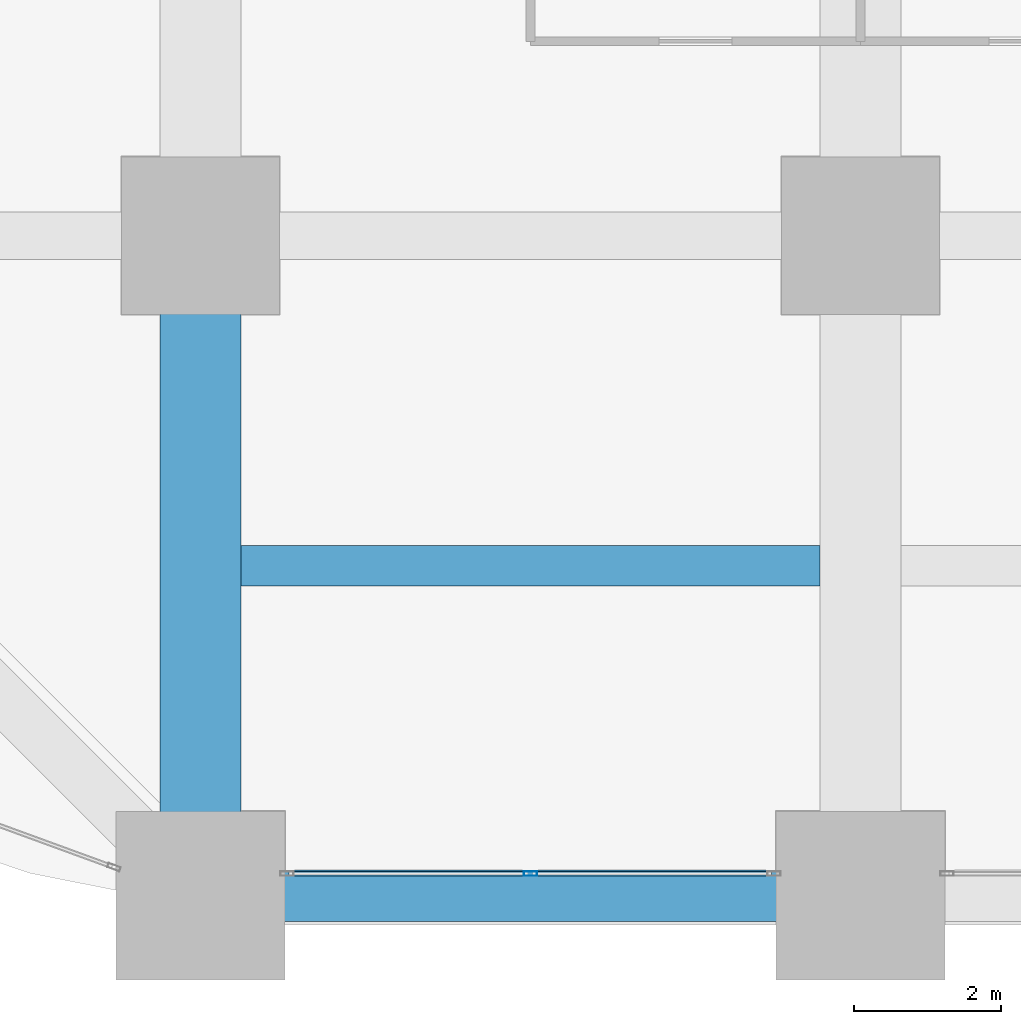
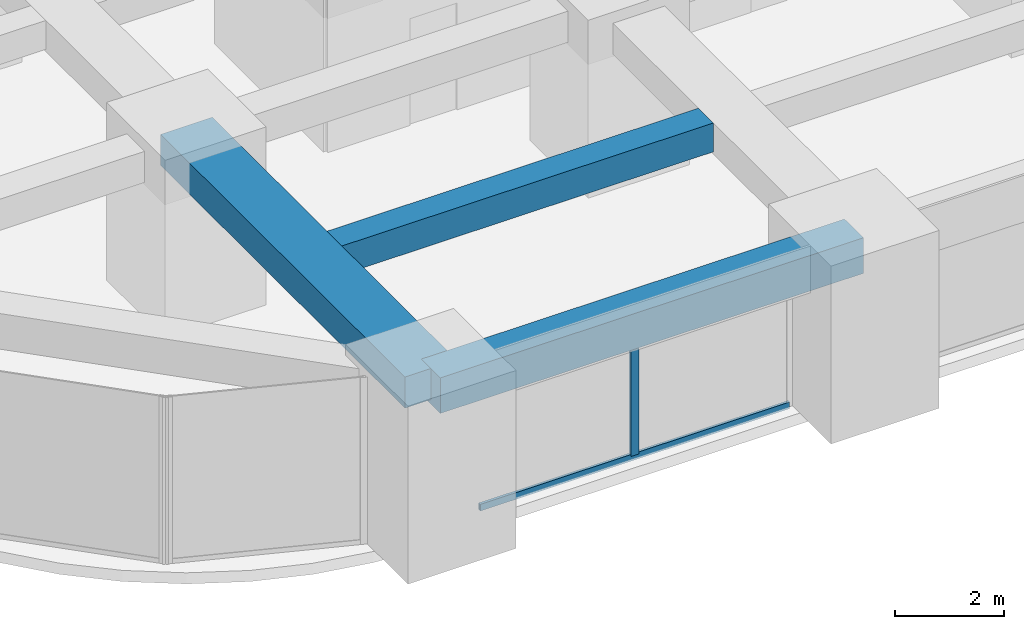
# One storey, part 3 of 44: 3 beams, 2 members, 1 element without a shape of its own.
"""IFC4 building model written with IfcOpenShell, lengths in metres."""

import ifcopenshell
import ifcopenshell.guid

model = None  # the IFC model being written
_history = None  # IfcOwnerHistory: only IFC2X3 demands one
_inside = {}  # id of a spatial element -> (the spatial element, [elements in it])
_under = {}  # id of a project, library or spatial element -> (it, [spatial elements below it])
_declared = {}  # id of a project -> (the project, [libraries it declares])
_typed = {}  # id of a type object -> (the type object, [elements of that type])
_made_of = {}  # id of a material, layer set ... -> (it, [elements and type objects made of it])


def new_model(schema):
    """Start an empty IFC model of exactly this schema.

    Asked for "IFC4X3", IfcOpenShell would pick the latest addendum, in which some entities
    have other attributes; the version numbers below select the first issue.
    IFC2X3 requires an IfcOwnerHistory on every rooted entity: one is made here for all.
    """
    global model, _history
    if schema == "IFC4X3":
        model = ifcopenshell.file(schema_version=(4, 3, 0, 0))
    else:
        model = ifcopenshell.file(schema=schema)
    _inside.clear()
    _under.clear()
    _declared.clear()
    _typed.clear()
    _made_of.clear()
    _history = None
    if model.schema == "IFC2X3":
        org = make("IfcOrganization", Name="unknown")
        user = make(
            "IfcPersonAndOrganization",
            ThePerson=make("IfcPerson", FamilyName="unknown"),
            TheOrganization=org,
        )
        app = make(
            "IfcApplication",
            ApplicationDeveloper=org,
            Version="unknown",
            ApplicationFullName="unknown",
            ApplicationIdentifier="unknown",
        )
        _history = make(
            "IfcOwnerHistory",
            OwningUser=user,
            OwningApplication=app,
            ChangeAction="ADDED",
            CreationDate=0,
        )
    return model


def make(cls, **values):
    """One entity of the class cls with the attributes given. An attribute that is None is left unset."""
    return model.create_entity(
        cls, **{name: value for name, value in values.items() if value is not None}
    )


def rooted(cls, **values):
    """An entity with a GlobalId (a new one), such as an element, a storey or a relation."""
    return make(cls, GlobalId=ifcopenshell.guid.new(), OwnerHistory=_history, **values)


def si_unit(unit_type, name, prefix=None):
    """IfcSIUnit, for example si_unit("LENGTHUNIT", "METRE", prefix="MILLI")."""
    return make("IfcSIUnit", UnitType=unit_type, Prefix=prefix, Name=name)


def assignment(units):
    """IfcUnitAssignment: the units of a project."""
    return None if units is None else make("IfcUnitAssignment", Units=units)


def point(xyz):
    """IfcCartesianPoint."""
    return None if xyz is None else make("IfcCartesianPoint", Coordinates=xyz)


def direction(xyz):
    """IfcDirection."""
    return None if xyz is None else make("IfcDirection", DirectionRatios=xyz)


def frame(location, z_axis=None, x_axis=None):
    """IfcAxis2Placement3D, a coordinate frame: its origin and axes. An axis left out is left unset."""
    return make(
        "IfcAxis2Placement3D",
        Location=point(location),
        Axis=direction(z_axis),
        RefDirection=direction(x_axis),
    )


def frame_2d(location, x_axis=None):
    """IfcAxis2Placement2D, a coordinate frame in the plane: its origin and x axis."""
    return make(
        "IfcAxis2Placement2D", Location=point(location), RefDirection=direction(x_axis)
    )


def origin():
    """The frame at (0, 0, 0) with its axes left unset."""
    return frame((0.0, 0.0, 0.0))


def origin_2d():
    """The frame at (0, 0) in the plane with its x axis left unset."""
    return frame_2d((0.0, 0.0))


def place(relative_to, where):
    """IfcLocalPlacement: puts the frame where relative to a parent placement (None: the world)."""
    return make(
        "IfcLocalPlacement", PlacementRelTo=relative_to, RelativePlacement=where
    )


def context(
    kind, dimensions, precision=None, world=None, true_north=None, identifier=None
):
    """IfcGeometricRepresentationContext, for example the 3D "Model" context."""
    return make(
        "IfcGeometricRepresentationContext",
        ContextIdentifier=identifier,
        ContextType=kind,
        CoordinateSpaceDimension=dimensions,
        Precision=precision,
        WorldCoordinateSystem=world,
        TrueNorth=true_north,
    )


def subcontext(parent, identifier, kind, view, scale=None):
    """IfcGeometricRepresentationSubContext, for example "Body" below "Model"."""
    return make(
        "IfcGeometricRepresentationSubContext",
        ContextIdentifier=identifier,
        ContextType=kind,
        ParentContext=parent,
        TargetScale=scale,
        TargetView=view,
    )


def project(units=None, contexts=None):
    """IfcProject with its units and contexts."""
    return rooted(
        "IfcProject",
        Name="project",
        RepresentationContexts=contexts,
        UnitsInContext=assignment(units),
    )


def spatial(cls, under=None, at=None, **own):
    """A site, building, storey or space (cls), placed at a placement, below another one or the project."""
    s = rooted(cls, ObjectPlacement=at, **own)
    if under is not None:
        _under.setdefault(under.id(), (under, []))[1].append(s)
    return s


def profile(cls, at=None, kind="AREA", **sizes):
    """A parametric profile (cls). Its sizes go by their IFC names, for example OverallWidth=200.0."""
    return make(cls, ProfileType=kind, Position=at, **sizes)


def rectangle(**sizes):
    """IfcRectangleProfileDef."""
    return profile("IfcRectangleProfileDef", **sizes)


def hollow_rectangle(**sizes):
    """IfcRectangleHollowProfileDef."""
    return profile("IfcRectangleHollowProfileDef", **sizes)


def extrude(swept, where, along, depth):
    """IfcExtrudedAreaSolid: the profile swept, set in the frame where, extruded along a direction by depth."""
    return make(
        "IfcExtrudedAreaSolid",
        SweptArea=swept,
        Position=where,
        ExtrudedDirection=direction(along),
        Depth=depth,
    )


def shape(context_of_items, identifier, shape_type, items):
    """IfcShapeRepresentation: the items that make up one representation, for example the "Body"."""
    return make(
        "IfcShapeRepresentation",
        ContextOfItems=context_of_items,
        RepresentationIdentifier=identifier,
        RepresentationType=shape_type,
        Items=items,
    )


def material(Name=None, Category=None):
    """IfcMaterial."""
    return make("IfcMaterial", Name=Name, Category=Category)


def material_profile(
    of_material, cross_section, Name=None, Category=None, Priority=None
):
    """IfcMaterialProfile: a cross section and its material."""
    return make(
        "IfcMaterialProfile",
        Name=Name,
        Material=of_material,
        Profile=cross_section,
        Priority=Priority,
        Category=Category,
    )


def profile_set(profiles, Name=None, composite=None):
    """IfcMaterialProfileSet."""
    return make(
        "IfcMaterialProfileSet",
        Name=Name,
        MaterialProfiles=profiles,
        CompositeProfile=composite,
    )


def made_of(thing, what):
    """Note that an element or type object is made of a material, layer set ...; save() writes the relation."""
    if what is not None:
        _made_of.setdefault(what.id(), (what, []))[1].append(thing)
    return thing


def type_object(cls, material=None, **own):
    """A type object (cls), such as IfcWallType, which elements share."""
    return made_of(rooted(cls, **own), material)


def element(
    cls,
    number,
    at=None,
    inside=None,
    cuts=None,
    type_object=None,
    material=None,
    context=None,
    identifier="Body",
    shape_type=None,
    held_by="IfcProductDefinitionShape",
    body=None,
    shapes=None,
    **own,
):
    """One element of the class cls, such as IfcWall. Its Tag is "e" and its number.

    at: its placement. inside: the storey or other place that contains it. cuts: it is an
    opening in that element (IfcRelVoidsElement). A single representation is given by context,
    identifier, shape_type and body (its items); several are given by shapes. held_by: the class
    of the entity that holds the representations. save() writes the other relations.
    """
    e = rooted(cls, Tag="e%d" % number, ObjectPlacement=at, **own)
    if body is not None:
        shapes = [shape(context, identifier, shape_type, body)]
    if shapes is not None:
        e.Representation = make(held_by, Representations=shapes)
    if inside is not None:
        _inside.setdefault(inside.id(), (inside, []))[1].append(e)
    if cuts is not None:
        rooted(
            "IfcRelVoidsElement", RelatingBuildingElement=cuts, RelatedOpeningElement=e
        )
    if type_object is not None:
        _typed.setdefault(type_object.id(), (type_object, []))[1].append(e)
    return made_of(e, material)


def aggregate(whole, parts):
    """IfcRelAggregates: a whole, such as a stair, and the parts it consists of."""
    return rooted("IfcRelAggregates", RelatingObject=whole, RelatedObjects=parts)


def save(model, path):
    """Write the relations noted so far, then the file.

    IfcRelAggregates (storeys below a building ...), IfcRelContainedInSpatialStructure (elements
    in a storey), IfcRelDefinesByType, IfcRelAssociatesMaterial and IfcRelDeclares: one each for
    every whole, place, type object, material and project.
    """
    for whole, parts in _under.values():
        aggregate(whole, parts)
    for where, things in _inside.values():
        rooted(
            "IfcRelContainedInSpatialStructure",
            RelatedElements=things,
            RelatingStructure=where,
        )
    for kind, things in _typed.values():
        rooted("IfcRelDefinesByType", RelatedObjects=things, RelatingType=kind)
    for what, things in _made_of.values():
        rooted("IfcRelAssociatesMaterial", RelatedObjects=things, RelatingMaterial=what)
    for by, libraries in _declared.values():
        rooted("IfcRelDeclares", RelatingContext=by, RelatedDefinitions=libraries)
    model.write(path)


model = new_model("IFC4")

# Units and contexts
model_context = context("Model", 3, precision=1e-05, world=origin(), true_north=direction((0.0, 1.0)))
body_context = subcontext(model_context, "Body", "Model", "MODEL_VIEW")
ifc_project = project(units=[si_unit("LENGTHUNIT", "METRE"), si_unit("AREAUNIT", "SQUARE_METRE"), si_unit("VOLUMEUNIT", "CUBIC_METRE"), si_unit("PLANEANGLEUNIT", "RADIAN"), si_unit("MASSUNIT", "GRAM", prefix="KILO")], contexts=[model_context])

# Site, building, storey
site_placement = place(None, origin())
site = spatial("IfcSite", under=ifc_project, at=site_placement, CompositionType="ELEMENT")
building_placement = place(site_placement, origin())
building = spatial("IfcBuilding", under=site, at=building_placement, Name="Zorevar Civic Tower", CompositionType="ELEMENT")
storey_placement = place(building_placement, frame((0.0, 0.0, 59.800048828125)))
storey = spatial("IfcBuildingStorey", under=building, at=storey_placement, Name="L14", CompositionType="ELEMENT", Elevation=59.800048828125)

# Beams
ifc_material_1 = material(Name="Concrete C50/60", Category="concrete")
ifc_material_profile_1 = material_profile(ifc_material_1, rectangle(XDim=1.10009765625, YDim=0.699951171875, at=origin_2d()), Name="RC 1100x700")
ifc_profile_set_1 = profile_set([ifc_material_profile_1], Name="Concrete C50/60")
beam_type_1 = type_object("IfcBeamType", Name="Beam RC 1100x700", PredefinedType="BEAM", material=ifc_profile_set_1)
beam_1_placement = place(storey_placement, frame((9.0, 0.0, 3.39990234375), z_axis=(0.0, 1.0, 0.0), x_axis=(-1.0, 0.0, 0.0)))
element("IfcBeam", 1, at=beam_1_placement, inside=storey, type_object=beam_type_1, Name="Girder L15", PredefinedType="BEAM", context=body_context, shape_type="SweptSolid", body=[
    extrude(rectangle(XDim=1.10009765625, YDim=0.699951171875, at=origin_2d()), origin(), (0.0, 0.0, 1.0), 9.0),
])
ifc_material_2 = material(Name="Concrete C50/60", Category="concrete")
ifc_material_profile_2 = material_profile(ifc_material_2, rectangle(XDim=0.550048828125, YDim=0.64990234375, at=origin_2d()), Name="RC 550x650")
ifc_profile_set_2 = profile_set([ifc_material_profile_2], Name="Concrete C50/60")
beam_type_2 = type_object("IfcBeamType", Name="Beam RC 550x650", PredefinedType="BEAM", material=ifc_profile_set_2)
beam_2_placement = place(storey_placement, frame((9.550048828125, 4.5, 3.425048828125), z_axis=(1.0, 0.0, 0.0), x_axis=(0.0, 1.0, 0.0)))
element("IfcBeam", 2, at=beam_2_placement, inside=storey, type_object=beam_type_2, Name="Secondary beam L15", PredefinedType="BEAM", context=body_context, shape_type="SweptSolid", body=[
    extrude(rectangle(XDim=0.550048828125, YDim=0.64990234375, at=origin_2d()), origin(), (0.0, 0.0, 1.0), 7.89990234375),
])

# Curtain wall, members
ifc_material_3 = material(Name="Dark grey solar-control glass in black aluminium frame", Category="aluminium")
curtain_wall_type = type_object("IfcCurtainWallType", Name="Curtain wall CW2 low zone", PredefinedType="NOTDEFINED", material=ifc_material_3)
curtain_wall_placement = place(storey_placement, origin())
curtain_wall = element("IfcCurtainWall", 3, at=curtain_wall_placement, inside=storey, type_object=curtain_wall_type, Name="CW2 L14", PredefinedType="NOTDEFINED")
ifc_material_4 = material(Name="Aluminium, black anodised", Category="aluminium")
ifc_material_profile_3 = material_profile(ifc_material_4, hollow_rectangle(XDim=0.06005859375, YDim=0.179931640625, WallThickness=0.00390625, at=origin_2d()), Name="AL 180x60x4")
ifc_profile_set_3 = profile_set([ifc_material_profile_3], Name="Aluminium, black anodised")
member_type_1 = type_object("IfcMemberType", Name="CW2 mullion AL 180x60x4", PredefinedType="MULLION", material=ifc_profile_set_3)
member_1_placement = place(storey_placement, frame((13.5, 0.300048828125, 0.06005859375), z_axis=(0.0, 0.0, 1.0), x_axis=(0.0, 1.0, 0.0)))
member_1 = element("IfcMember", 4, at=member_1_placement, type_object=member_type_1, Name="CW2 mullion 2", PredefinedType="MULLION", context=body_context, shape_type="SweptSolid", body=[
    extrude(hollow_rectangle(XDim=0.06005859375, YDim=0.179931640625, WallThickness=0.00390625, at=origin_2d()), origin(), (0.0, 0.0, 1.0), 2.889892578125),
])
ifc_material_5 = material(Name="Aluminium, black anodised", Category="aluminium")
ifc_material_profile_4 = material_profile(ifc_material_5, hollow_rectangle(XDim=0.06005859375, YDim=0.14990234375, WallThickness=0.00390625, at=origin_2d()), Name="AL 150x60x4")
ifc_profile_set_4 = profile_set([ifc_material_profile_4], Name="Aluminium, black anodised")
member_type_2 = type_object("IfcMemberType", Name="CW2 transom AL 150x60x4", PredefinedType="USERDEFINED", material=ifc_profile_set_4)
member_2_placement = place(storey_placement, frame((10.2099609375, 0.300048828125, 0.030029296875), z_axis=(1.0, 0.0, 0.0), x_axis=(0.0, 1.0, 0.0)))
member_2 = element("IfcMember", 5, at=member_2_placement, type_object=member_type_2, Name="CW2 sill transom", ObjectType="TRANSOM", PredefinedType="USERDEFINED", context=body_context, shape_type="SweptSolid", body=[
    extrude(hollow_rectangle(XDim=0.06005859375, YDim=0.14990234375, WallThickness=0.00390625, at=origin_2d()), origin(), (0.0, 0.0, 1.0), 6.580078125),
])
aggregate(curtain_wall, [member_1, member_2])

# Beam
ifc_material_6 = material(Name="Concrete C50/60", Category="concrete")
ifc_material_profile_5 = material_profile(ifc_material_6, rectangle(XDim=0.699951171875, YDim=0.800048828125, at=origin_2d()), Name="RC 700x800")
ifc_profile_set_5 = profile_set([ifc_material_profile_5], Name="Concrete C50/60")
beam_type_3 = type_object("IfcBeamType", Name="Edge beam RC 700x800", PredefinedType="SPANDREL", material=ifc_profile_set_5)
beam_3_placement = place(storey_placement, frame((9.0, 0.0, 3.349853515625), z_axis=(1.0, 0.0, 0.0), x_axis=(0.0, 1.0, 0.0)))
element("IfcBeam", 6, at=beam_3_placement, inside=storey, type_object=beam_type_3, Name="Edge beam L15", PredefinedType="SPANDREL", context=body_context, shape_type="SweptSolid", body=[
    extrude(rectangle(XDim=0.699951171875, YDim=0.800048828125, at=origin_2d()), origin(), (0.0, 0.0, 1.0), 9.0),
])

save(model, "model.ifc")
